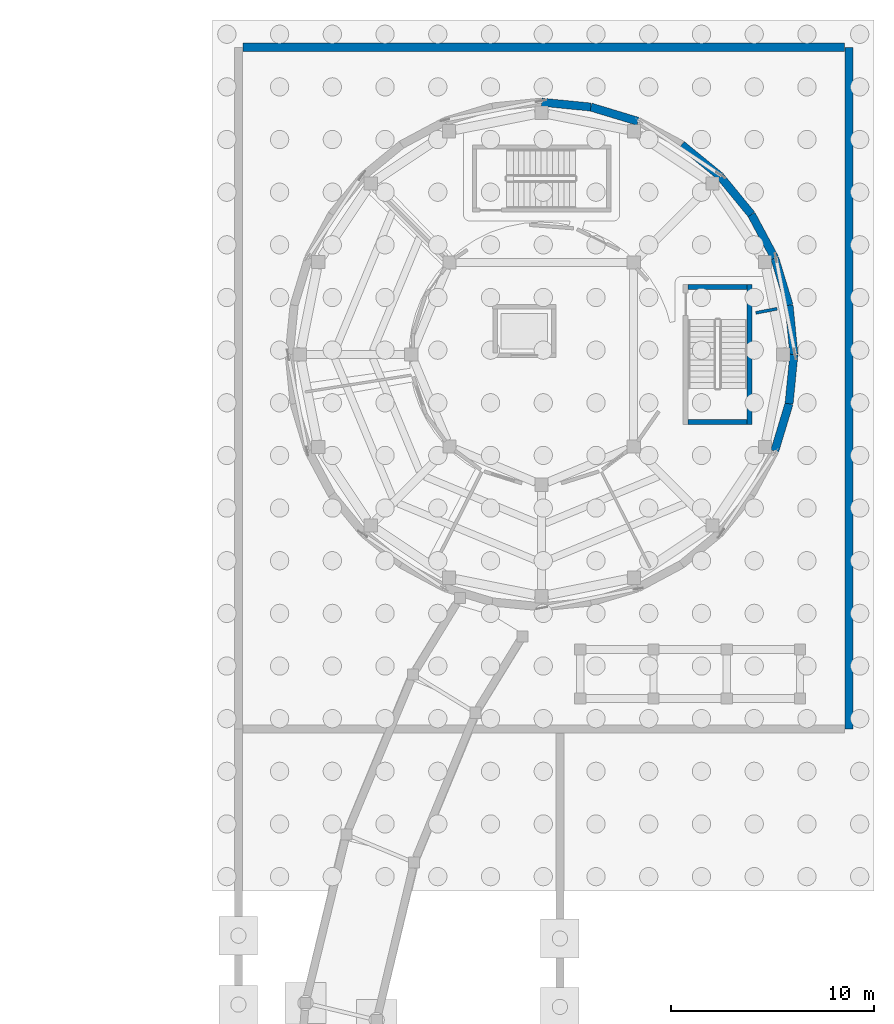
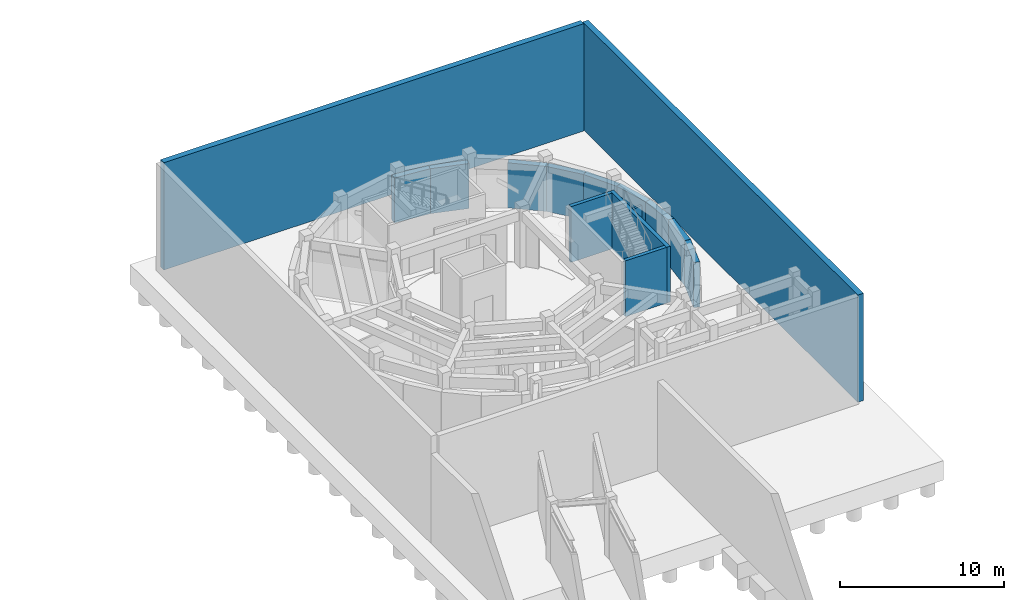
# One storey, part 47 of 57: 15 walls.
"""IFC4 building model written with IfcOpenShell, lengths in metres."""

import ifcopenshell
import ifcopenshell.guid

model = None  # the IFC model being written
_history = None  # IfcOwnerHistory: only IFC2X3 demands one
_inside = {}  # id of a spatial element -> (the spatial element, [elements in it])
_under = {}  # id of a project, library or spatial element -> (it, [spatial elements below it])
_declared = {}  # id of a project -> (the project, [libraries it declares])
_typed = {}  # id of a type object -> (the type object, [elements of that type])
_made_of = {}  # id of a material, layer set ... -> (it, [elements and type objects made of it])


def new_model(schema):
    """Start an empty IFC model of exactly this schema.

    Asked for "IFC4X3", IfcOpenShell would pick the latest addendum, in which some entities
    have other attributes; the version numbers below select the first issue.
    IFC2X3 requires an IfcOwnerHistory on every rooted entity: one is made here for all.
    """
    global model, _history
    if schema == "IFC4X3":
        model = ifcopenshell.file(schema_version=(4, 3, 0, 0))
    else:
        model = ifcopenshell.file(schema=schema)
    _inside.clear()
    _under.clear()
    _declared.clear()
    _typed.clear()
    _made_of.clear()
    _history = None
    if model.schema == "IFC2X3":
        org = make("IfcOrganization", Name="unknown")
        user = make(
            "IfcPersonAndOrganization",
            ThePerson=make("IfcPerson", FamilyName="unknown"),
            TheOrganization=org,
        )
        app = make(
            "IfcApplication",
            ApplicationDeveloper=org,
            Version="unknown",
            ApplicationFullName="unknown",
            ApplicationIdentifier="unknown",
        )
        _history = make(
            "IfcOwnerHistory",
            OwningUser=user,
            OwningApplication=app,
            ChangeAction="ADDED",
            CreationDate=0,
        )
    return model


def make(cls, **values):
    """One entity of the class cls with the attributes given. An attribute that is None is left unset."""
    return model.create_entity(
        cls, **{name: value for name, value in values.items() if value is not None}
    )


def rooted(cls, **values):
    """An entity with a GlobalId (a new one), such as an element, a storey or a relation."""
    return make(cls, GlobalId=ifcopenshell.guid.new(), OwnerHistory=_history, **values)


def si_unit(unit_type, name, prefix=None):
    """IfcSIUnit, for example si_unit("LENGTHUNIT", "METRE", prefix="MILLI")."""
    return make("IfcSIUnit", UnitType=unit_type, Prefix=prefix, Name=name)


def assignment(units):
    """IfcUnitAssignment: the units of a project."""
    return None if units is None else make("IfcUnitAssignment", Units=units)


def point(xyz):
    """IfcCartesianPoint."""
    return None if xyz is None else make("IfcCartesianPoint", Coordinates=xyz)


def direction(xyz):
    """IfcDirection."""
    return None if xyz is None else make("IfcDirection", DirectionRatios=xyz)


def frame(location, z_axis=None, x_axis=None):
    """IfcAxis2Placement3D, a coordinate frame: its origin and axes. An axis left out is left unset."""
    return make(
        "IfcAxis2Placement3D",
        Location=point(location),
        Axis=direction(z_axis),
        RefDirection=direction(x_axis),
    )


def frame_2d(location, x_axis=None):
    """IfcAxis2Placement2D, a coordinate frame in the plane: its origin and x axis."""
    return make(
        "IfcAxis2Placement2D", Location=point(location), RefDirection=direction(x_axis)
    )


def origin():
    """The frame at (0, 0, 0) with its axes left unset."""
    return frame((0.0, 0.0, 0.0))


def place(relative_to, where):
    """IfcLocalPlacement: puts the frame where relative to a parent placement (None: the world)."""
    return make(
        "IfcLocalPlacement", PlacementRelTo=relative_to, RelativePlacement=where
    )


def context(
    kind, dimensions, precision=None, world=None, true_north=None, identifier=None
):
    """IfcGeometricRepresentationContext, for example the 3D "Model" context."""
    return make(
        "IfcGeometricRepresentationContext",
        ContextIdentifier=identifier,
        ContextType=kind,
        CoordinateSpaceDimension=dimensions,
        Precision=precision,
        WorldCoordinateSystem=world,
        TrueNorth=true_north,
    )


def subcontext(parent, identifier, kind, view, scale=None):
    """IfcGeometricRepresentationSubContext, for example "Body" below "Model"."""
    return make(
        "IfcGeometricRepresentationSubContext",
        ContextIdentifier=identifier,
        ContextType=kind,
        ParentContext=parent,
        TargetScale=scale,
        TargetView=view,
    )


def project(units=None, contexts=None):
    """IfcProject with its units and contexts."""
    return rooted(
        "IfcProject",
        Name="project",
        RepresentationContexts=contexts,
        UnitsInContext=assignment(units),
    )


def spatial(cls, under=None, at=None, **own):
    """A site, building, storey or space (cls), placed at a placement, below another one or the project."""
    s = rooted(cls, ObjectPlacement=at, **own)
    if under is not None:
        _under.setdefault(under.id(), (under, []))[1].append(s)
    return s


def profile(cls, at=None, kind="AREA", **sizes):
    """A parametric profile (cls). Its sizes go by their IFC names, for example OverallWidth=200.0."""
    return make(cls, ProfileType=kind, Position=at, **sizes)


def rectangle(**sizes):
    """IfcRectangleProfileDef."""
    return profile("IfcRectangleProfileDef", **sizes)


def extrude(swept, where, along, depth):
    """IfcExtrudedAreaSolid: the profile swept, set in the frame where, extruded along a direction by depth."""
    return make(
        "IfcExtrudedAreaSolid",
        SweptArea=swept,
        Position=where,
        ExtrudedDirection=direction(along),
        Depth=depth,
    )


def shape(context_of_items, identifier, shape_type, items):
    """IfcShapeRepresentation: the items that make up one representation, for example the "Body"."""
    return make(
        "IfcShapeRepresentation",
        ContextOfItems=context_of_items,
        RepresentationIdentifier=identifier,
        RepresentationType=shape_type,
        Items=items,
    )


def material(Name=None, Category=None):
    """IfcMaterial."""
    return make("IfcMaterial", Name=Name, Category=Category)


def layer(
    of_material, thickness, ventilated=None, Name=None, Category=None, Priority=None
):
    """IfcMaterialLayer: one layer of a wall or slab, of a material (None: an air gap)."""
    return make(
        "IfcMaterialLayer",
        Material=of_material,
        LayerThickness=thickness,
        IsVentilated=ventilated,
        Name=Name,
        Category=Category,
        Priority=Priority,
    )


def layer_set(layers, Name=None):
    """IfcMaterialLayerSet."""
    return make("IfcMaterialLayerSet", MaterialLayers=layers, LayerSetName=Name)


def made_of(thing, what):
    """Note that an element or type object is made of a material, layer set ...; save() writes the relation."""
    if what is not None:
        _made_of.setdefault(what.id(), (what, []))[1].append(thing)
    return thing


def type_object(cls, material=None, **own):
    """A type object (cls), such as IfcWallType, which elements share."""
    return made_of(rooted(cls, **own), material)


def element(
    cls,
    number,
    at=None,
    inside=None,
    cuts=None,
    type_object=None,
    material=None,
    context=None,
    identifier="Body",
    shape_type=None,
    held_by="IfcProductDefinitionShape",
    body=None,
    shapes=None,
    **own,
):
    """One element of the class cls, such as IfcWall. Its Tag is "e" and its number.

    at: its placement. inside: the storey or other place that contains it. cuts: it is an
    opening in that element (IfcRelVoidsElement). A single representation is given by context,
    identifier, shape_type and body (its items); several are given by shapes. held_by: the class
    of the entity that holds the representations. save() writes the other relations.
    """
    e = rooted(cls, Tag="e%d" % number, ObjectPlacement=at, **own)
    if body is not None:
        shapes = [shape(context, identifier, shape_type, body)]
    if shapes is not None:
        e.Representation = make(held_by, Representations=shapes)
    if inside is not None:
        _inside.setdefault(inside.id(), (inside, []))[1].append(e)
    if cuts is not None:
        rooted(
            "IfcRelVoidsElement", RelatingBuildingElement=cuts, RelatedOpeningElement=e
        )
    if type_object is not None:
        _typed.setdefault(type_object.id(), (type_object, []))[1].append(e)
    return made_of(e, material)


def aggregate(whole, parts):
    """IfcRelAggregates: a whole, such as a stair, and the parts it consists of."""
    return rooted("IfcRelAggregates", RelatingObject=whole, RelatedObjects=parts)


def save(model, path):
    """Write the relations noted so far, then the file.

    IfcRelAggregates (storeys below a building ...), IfcRelContainedInSpatialStructure (elements
    in a storey), IfcRelDefinesByType, IfcRelAssociatesMaterial and IfcRelDeclares: one each for
    every whole, place, type object, material and project.
    """
    for whole, parts in _under.values():
        aggregate(whole, parts)
    for where, things in _inside.values():
        rooted(
            "IfcRelContainedInSpatialStructure",
            RelatedElements=things,
            RelatingStructure=where,
        )
    for kind, things in _typed.values():
        rooted("IfcRelDefinesByType", RelatedObjects=things, RelatingType=kind)
    for what, things in _made_of.values():
        rooted("IfcRelAssociatesMaterial", RelatedObjects=things, RelatingMaterial=what)
    for by, libraries in _declared.values():
        rooted("IfcRelDeclares", RelatingContext=by, RelatedDefinitions=libraries)
    model.write(path)


model = new_model("IFC4")

# Units and contexts
model_context = context("Model", 3, precision=1e-05, world=origin(), true_north=direction((0.0, 1.0)))
body_context = subcontext(model_context, "Body", "Model", "MODEL_VIEW")
ifc_project = project(units=[si_unit("LENGTHUNIT", "METRE"), si_unit("AREAUNIT", "SQUARE_METRE"), si_unit("VOLUMEUNIT", "CUBIC_METRE"), si_unit("PLANEANGLEUNIT", "RADIAN"), si_unit("MASSUNIT", "GRAM", prefix="KILO")], contexts=[model_context])

# Site, building, storey
site_placement = place(None, origin())
site = spatial("IfcSite", under=ifc_project, at=site_placement, CompositionType="ELEMENT")
building_placement = place(site_placement, origin())
building = spatial("IfcBuilding", under=site, at=building_placement, Name="Aldenvaro Health Centre", CompositionType="ELEMENT")
storey_placement = place(building_placement, frame((0.0, 0.0, -4.550048828125)))
storey = spatial("IfcBuildingStorey", under=building, at=storey_placement, Name="B1", CompositionType="ELEMENT", Elevation=-4.550048828125)

# Walls
ifc_material_1 = material(Name="Gypsum Stud Acoustic Assembly")
ifc_layer_1 = layer(ifc_material_1, 0.14501953125, Name="Gypsum Stud Acoustic Assembly")
ifc_layer_set_1 = layer_set([ifc_layer_1], Name="Gypsum Stud Acoustic Assembly")
wall_type_1 = type_object("IfcWallType", Name="WL-CLN-145", PredefinedType="PARTITIONING", material=ifc_layer_set_1)
wall_1_placement = place(storey_placement, frame((165.030029296875, 101.547119140625, 0.0), z_axis=(0.0, 0.0, 1.0), x_axis=(0.981734354129, 0.190256820961, 0.0)))
element("IfcWall", 1, at=wall_1_placement, inside=storey, type_object=wall_type_1, Name="D2 B1 clinical partition 1.1", PredefinedType="PARTITIONING", context=body_context, shape_type="SweptSolid", body=[
    extrude(rectangle(XDim=1.06640625, YDim=0.14501953125, at=frame_2d((0.533203125, 0.0))), origin(), (0.0, 0.0, 1.0), 3.322998046875),
])
ifc_material_2 = material(Name="Concrete f'c 40 MPa", Category="concrete")
ifc_layer_2 = layer(ifc_material_2, 0.39990234375, Name="Concrete f'c 40 MPa", Category="concrete")
ifc_layer_set_2 = layer_set([ifc_layer_2], Name="Concrete f'c 40 MPa")
wall_type_2 = type_object("IfcWallType", Name="WL-RET-400", PredefinedType="USERDEFINED", material=ifc_layer_set_2)
wall_2_placement = place(storey_placement, frame((166.89990234375, 99.5, 0.0), z_axis=(0.0, 0.0, 1.0), x_axis=(-0.097832820839, -0.995202863323, 0.0)))
element("IfcWall", 2, at=wall_2_placement, inside=storey, type_object=wall_type_2, Name="D2 B1 hillside retaining wall 01", ObjectType="RETAININGWALL", PredefinedType="USERDEFINED", context=body_context, shape_type="SweptSolid", body=[
    extrude(rectangle(XDim=2.4306640625, YDim=0.39990234375, at=frame_2d((1.21533203125, 0.0))), origin(), (0.0, 0.0, 1.0), 3.34814453125),
])
wall_3_placement = place(storey_placement, frame((166.662109375, 97.0810546875, 0.0), z_axis=(0.0, 0.0, 1.0), x_axis=(-0.290442193951, -0.956892539407, 0.0)))
element("IfcWall", 3, at=wall_3_placement, inside=storey, type_object=wall_type_2, Name="D2 B1 hillside retaining wall 02", ObjectType="RETAININGWALL", PredefinedType="USERDEFINED", context=body_context, shape_type="SweptSolid", body=[
    extrude(rectangle(XDim=2.430908203125, YDim=0.39990234375, at=frame_2d((1.21533203125, 0.0))), origin(), (0.0, 0.0, 1.0), 3.34814453125),
])
wall_4_placement = place(storey_placement, frame((154.5, 111.89990234375, 0.0), z_axis=(0.0, 0.0, 1.0), x_axis=(0.995202863323, -0.097832820839, 0.0)))
element("IfcWall", 4, at=wall_4_placement, inside=storey, type_object=wall_type_2, Name="D2 B1 hillside retaining wall 25", ObjectType="RETAININGWALL", PredefinedType="USERDEFINED", context=body_context, shape_type="SweptSolid", body=[
    extrude(rectangle(XDim=2.4306640625, YDim=0.39990234375, at=frame_2d((1.21533203125, 0.0))), origin(), (0.0, 0.0, 1.0), 3.34814453125),
])
for number, where, z_axis, x_axis, name in (
    (5, (156.9189453125, 111.662109375, 0.0), (0.0, 0.0, 1.0), (0.956892539407, -0.290442193951, 0.0), "D2 B1 hillside retaining wall 26"),
    (6, (161.388916015625, 109.81005859375, 0.0), (0.0, 0.0, 1.0), (0.773048113134, -0.634347392822, 0.0), "D2 B1 hillside retaining wall 28"),
    (7, (163.26806640625, 108.26806640625, 0.0), (0.0, 0.0, 1.0), (0.634347392822, -0.773048113134, 0.0), "D2 B1 hillside retaining wall 29"),
    (8, (164.81005859375, 106.388916015625, 0.0), (0.0, 0.0, 1.0), (0.471432490996, -0.881902152415, 0.0), "D2 B1 hillside retaining wall 30"),
    (9, (165.9560546875, 104.2451171875, 0.0), (0.0, 0.0, 1.0), (0.290442193951, -0.956892539407, 0.0), "D2 B1 hillside retaining wall 31"),
):
    element("IfcWall", number, at=place(storey_placement, frame(where, z_axis=z_axis, x_axis=x_axis)), inside=storey, type_object=wall_type_2, Name=name, ObjectType="RETAININGWALL", PredefinedType="USERDEFINED", context=body_context, shape_type="SweptSolid", body=[
        extrude(rectangle(XDim=2.430908203125, YDim=0.39990234375, at=frame_2d((1.21533203125, 0.0))), origin(), (0.0, 0.0, 1.0), 3.34814453125),
    ])
wall_5_placement = place(storey_placement, frame((166.662109375, 101.9189453125, 0.0), z_axis=(0.0, 0.0, 1.0), x_axis=(0.097832820839, -0.995202863323, 0.0)))
element("IfcWall", 10, at=wall_5_placement, inside=storey, type_object=wall_type_2, Name="D2 B1 hillside retaining wall 32", ObjectType="RETAININGWALL", PredefinedType="USERDEFINED", context=body_context, shape_type="SweptSolid", body=[
    extrude(rectangle(XDim=2.4306640625, YDim=0.39990234375, at=frame_2d((1.21533203125, 0.0))), origin(), (0.0, 0.0, 1.0), 3.34814453125),
])
wall_6_placement = place(storey_placement, frame((169.60009765625, 81.10009765625, 0.0), z_axis=(0.0, 0.0, 1.0), x_axis=(0.0, 1.0, 0.0)))
element("IfcWall", 11, at=wall_6_placement, inside=storey, type_object=wall_type_2, Name="Stepped Foothill Retaining Wall T4N-E-00", ObjectType="RETAININGWALL", PredefinedType="USERDEFINED", context=body_context, shape_type="SweptSolid", body=[
    extrude(rectangle(XDim=33.5, YDim=0.39990234375, at=frame_2d((16.75, 0.0))), origin(), (0.0, 0.0, 1.0), 7.97998046875),
])
wall_7_placement = place(storey_placement, frame((139.823974609375, 114.60009765625, 0.0), z_axis=(0.0, 0.0, 1.0), x_axis=(1.0, 0.0, 0.0)))
element("IfcWall", 12, at=wall_7_placement, inside=storey, type_object=wall_type_2, Name="Stepped Foothill Retaining Wall T4N-NE-00", ObjectType="RETAININGWALL", PredefinedType="USERDEFINED", context=body_context, shape_type="SweptSolid", body=[
    extrude(rectangle(XDim=29.552001953125, YDim=0.39990234375, at=frame_2d((14.77587890625, 0.0))), origin(), (0.0, 0.0, 1.0), 7.97998046875),
])
ifc_layer_3 = layer(ifc_material_2, 0.25, Name="Concrete f'c 40 MPa", Category="concrete")
ifc_layer_set_3 = layer_set([ifc_layer_3], Name="Concrete f'c 40 MPa")
wall_type_3 = type_object("IfcWallType", Name="WL-SHAFT-250", PredefinedType="SHEAR", material=ifc_layer_set_3)
wall_8_placement = place(storey_placement, frame((164.72509765625, 102.949951171875, 0.0), z_axis=(0.0, 0.0, 1.0), x_axis=(0.0, -1.0, 0.0)))
element("IfcWall", 13, at=wall_8_placement, inside=storey, type_object=wall_type_3, Name="ST-03 B1 far core wall", PredefinedType="SHEAR", context=body_context, shape_type="SweptSolid", body=[
    extrude(rectangle(XDim=6.89990234375, YDim=0.25, at=frame_2d((3.449951171875, 0.0))), origin(), (0.0, 0.0, 1.0), 4.14794921875),
])
for number, where, z_axis, x_axis, name in (
    (14, (161.699951171875, 102.824951171875, 0.0), (0.0, 0.0, 1.0), (1.0, 0.0, 0.0), "ST-03 B1 side core wall L"),
    (15, (161.699951171875, 96.175048828125, 0.0), (0.0, 0.0, 1.0), (1.0, 0.0, 0.0), "ST-03 B1 side core wall R"),
):
    element("IfcWall", number, at=place(storey_placement, frame(where, z_axis=z_axis, x_axis=x_axis)), inside=storey, type_object=wall_type_3, Name=name, PredefinedType="SHEAR", context=body_context, shape_type="SweptSolid", body=[
        extrude(rectangle(XDim=2.900146484375, YDim=0.25, at=frame_2d((1.4501953125, 0.0))), origin(), (0.0, 0.0, 1.0), 4.14794921875),
    ])

save(model, "model.ifc")
